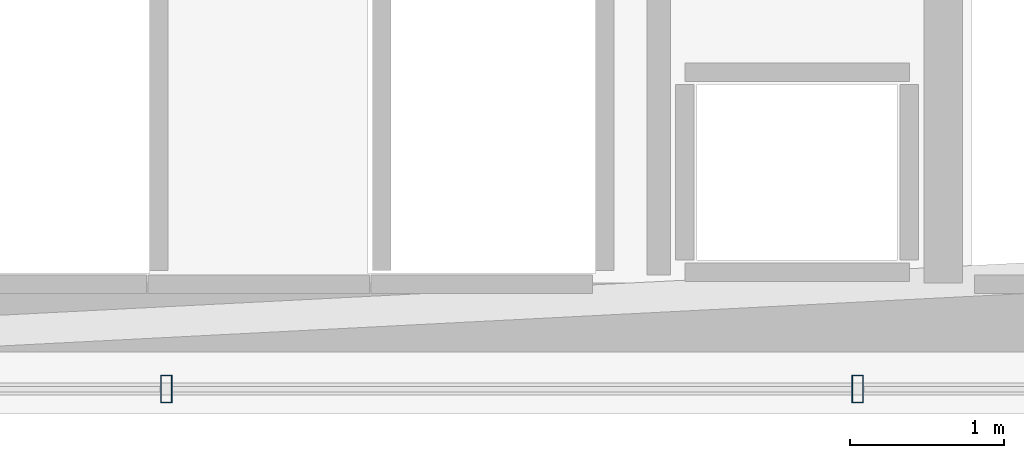
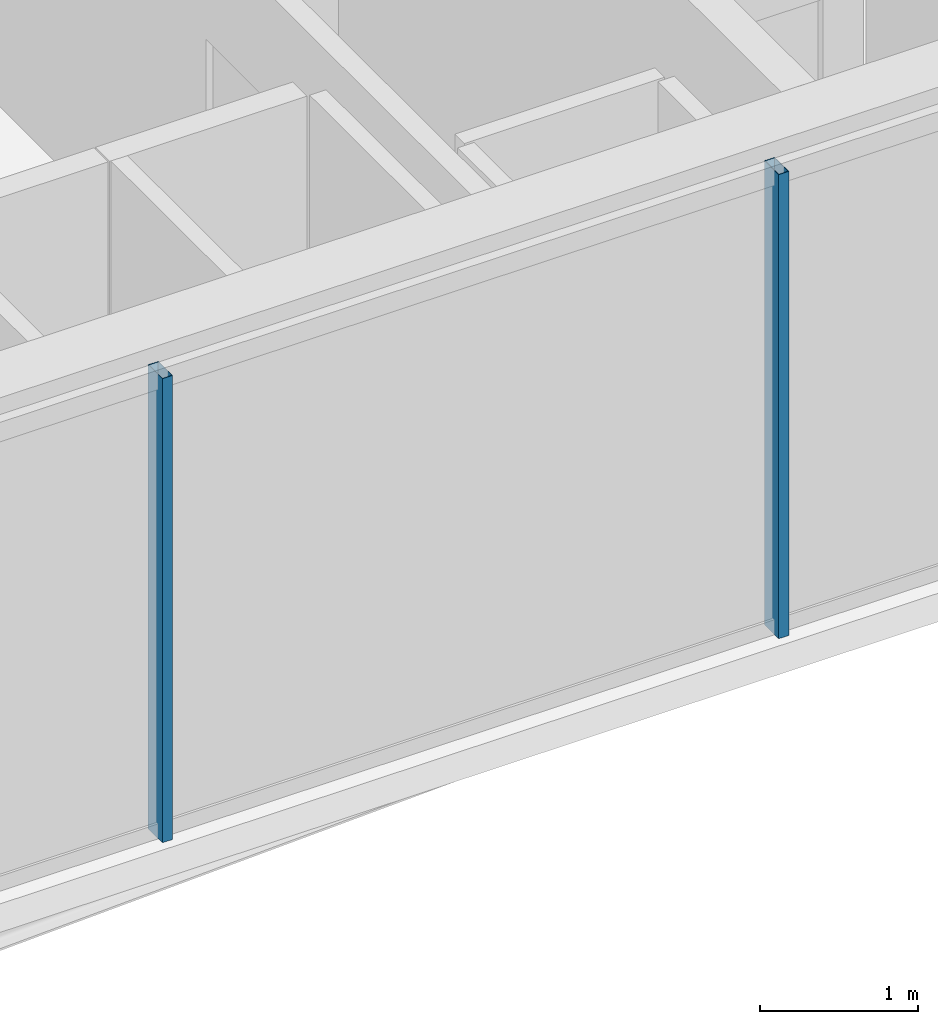
# One storey, part 9 of 32: 2 members, 1 element without a shape of its own.
"""IFC4 building model written with IfcOpenShell, lengths in metres."""

import ifcopenshell
import ifcopenshell.guid

model = None  # the IFC model being written
_history = None  # IfcOwnerHistory: only IFC2X3 demands one
_inside = {}  # id of a spatial element -> (the spatial element, [elements in it])
_under = {}  # id of a project, library or spatial element -> (it, [spatial elements below it])
_declared = {}  # id of a project -> (the project, [libraries it declares])
_typed = {}  # id of a type object -> (the type object, [elements of that type])
_made_of = {}  # id of a material, layer set ... -> (it, [elements and type objects made of it])


def new_model(schema):
    """Start an empty IFC model of exactly this schema.

    Asked for "IFC4X3", IfcOpenShell would pick the latest addendum, in which some entities
    have other attributes; the version numbers below select the first issue.
    IFC2X3 requires an IfcOwnerHistory on every rooted entity: one is made here for all.
    """
    global model, _history
    if schema == "IFC4X3":
        model = ifcopenshell.file(schema_version=(4, 3, 0, 0))
    else:
        model = ifcopenshell.file(schema=schema)
    _inside.clear()
    _under.clear()
    _declared.clear()
    _typed.clear()
    _made_of.clear()
    _history = None
    if model.schema == "IFC2X3":
        org = make("IfcOrganization", Name="unknown")
        user = make(
            "IfcPersonAndOrganization",
            ThePerson=make("IfcPerson", FamilyName="unknown"),
            TheOrganization=org,
        )
        app = make(
            "IfcApplication",
            ApplicationDeveloper=org,
            Version="unknown",
            ApplicationFullName="unknown",
            ApplicationIdentifier="unknown",
        )
        _history = make(
            "IfcOwnerHistory",
            OwningUser=user,
            OwningApplication=app,
            ChangeAction="ADDED",
            CreationDate=0,
        )
    return model


def make(cls, **values):
    """One entity of the class cls with the attributes given. An attribute that is None is left unset."""
    return model.create_entity(
        cls, **{name: value for name, value in values.items() if value is not None}
    )


def rooted(cls, **values):
    """An entity with a GlobalId (a new one), such as an element, a storey or a relation."""
    return make(cls, GlobalId=ifcopenshell.guid.new(), OwnerHistory=_history, **values)


def si_unit(unit_type, name, prefix=None):
    """IfcSIUnit, for example si_unit("LENGTHUNIT", "METRE", prefix="MILLI")."""
    return make("IfcSIUnit", UnitType=unit_type, Prefix=prefix, Name=name)


def assignment(units):
    """IfcUnitAssignment: the units of a project."""
    return None if units is None else make("IfcUnitAssignment", Units=units)


def point(xyz):
    """IfcCartesianPoint."""
    return None if xyz is None else make("IfcCartesianPoint", Coordinates=xyz)


def direction(xyz):
    """IfcDirection."""
    return None if xyz is None else make("IfcDirection", DirectionRatios=xyz)


def frame(location, z_axis=None, x_axis=None):
    """IfcAxis2Placement3D, a coordinate frame: its origin and axes. An axis left out is left unset."""
    return make(
        "IfcAxis2Placement3D",
        Location=point(location),
        Axis=direction(z_axis),
        RefDirection=direction(x_axis),
    )


def frame_2d(location, x_axis=None):
    """IfcAxis2Placement2D, a coordinate frame in the plane: its origin and x axis."""
    return make(
        "IfcAxis2Placement2D", Location=point(location), RefDirection=direction(x_axis)
    )


def origin():
    """The frame at (0, 0, 0) with its axes left unset."""
    return frame((0.0, 0.0, 0.0))


def origin_2d():
    """The frame at (0, 0) in the plane with its x axis left unset."""
    return frame_2d((0.0, 0.0))


def place(relative_to, where):
    """IfcLocalPlacement: puts the frame where relative to a parent placement (None: the world)."""
    return make(
        "IfcLocalPlacement", PlacementRelTo=relative_to, RelativePlacement=where
    )


def context(
    kind, dimensions, precision=None, world=None, true_north=None, identifier=None
):
    """IfcGeometricRepresentationContext, for example the 3D "Model" context."""
    return make(
        "IfcGeometricRepresentationContext",
        ContextIdentifier=identifier,
        ContextType=kind,
        CoordinateSpaceDimension=dimensions,
        Precision=precision,
        WorldCoordinateSystem=world,
        TrueNorth=true_north,
    )


def subcontext(parent, identifier, kind, view, scale=None):
    """IfcGeometricRepresentationSubContext, for example "Body" below "Model"."""
    return make(
        "IfcGeometricRepresentationSubContext",
        ContextIdentifier=identifier,
        ContextType=kind,
        ParentContext=parent,
        TargetScale=scale,
        TargetView=view,
    )


def project(units=None, contexts=None):
    """IfcProject with its units and contexts."""
    return rooted(
        "IfcProject",
        Name="project",
        RepresentationContexts=contexts,
        UnitsInContext=assignment(units),
    )


def spatial(cls, under=None, at=None, **own):
    """A site, building, storey or space (cls), placed at a placement, below another one or the project."""
    s = rooted(cls, ObjectPlacement=at, **own)
    if under is not None:
        _under.setdefault(under.id(), (under, []))[1].append(s)
    return s


def profile(cls, at=None, kind="AREA", **sizes):
    """A parametric profile (cls). Its sizes go by their IFC names, for example OverallWidth=200.0."""
    return make(cls, ProfileType=kind, Position=at, **sizes)


def hollow_rectangle(**sizes):
    """IfcRectangleHollowProfileDef."""
    return profile("IfcRectangleHollowProfileDef", **sizes)


def extrude(swept, where, along, depth):
    """IfcExtrudedAreaSolid: the profile swept, set in the frame where, extruded along a direction by depth."""
    return make(
        "IfcExtrudedAreaSolid",
        SweptArea=swept,
        Position=where,
        ExtrudedDirection=direction(along),
        Depth=depth,
    )


def shape(context_of_items, identifier, shape_type, items):
    """IfcShapeRepresentation: the items that make up one representation, for example the "Body"."""
    return make(
        "IfcShapeRepresentation",
        ContextOfItems=context_of_items,
        RepresentationIdentifier=identifier,
        RepresentationType=shape_type,
        Items=items,
    )


def material(Name=None, Category=None):
    """IfcMaterial."""
    return make("IfcMaterial", Name=Name, Category=Category)


def layer(
    of_material, thickness, ventilated=None, Name=None, Category=None, Priority=None
):
    """IfcMaterialLayer: one layer of a wall or slab, of a material (None: an air gap)."""
    return make(
        "IfcMaterialLayer",
        Material=of_material,
        LayerThickness=thickness,
        IsVentilated=ventilated,
        Name=Name,
        Category=Category,
        Priority=Priority,
    )


def layer_set(layers, Name=None):
    """IfcMaterialLayerSet."""
    return make("IfcMaterialLayerSet", MaterialLayers=layers, LayerSetName=Name)


def material_profile(
    of_material, cross_section, Name=None, Category=None, Priority=None
):
    """IfcMaterialProfile: a cross section and its material."""
    return make(
        "IfcMaterialProfile",
        Name=Name,
        Material=of_material,
        Profile=cross_section,
        Priority=Priority,
        Category=Category,
    )


def profile_set(profiles, Name=None, composite=None):
    """IfcMaterialProfileSet."""
    return make(
        "IfcMaterialProfileSet",
        Name=Name,
        MaterialProfiles=profiles,
        CompositeProfile=composite,
    )


def made_of(thing, what):
    """Note that an element or type object is made of a material, layer set ...; save() writes the relation."""
    if what is not None:
        _made_of.setdefault(what.id(), (what, []))[1].append(thing)
    return thing


def type_object(cls, material=None, **own):
    """A type object (cls), such as IfcWallType, which elements share."""
    return made_of(rooted(cls, **own), material)


def element(
    cls,
    number,
    at=None,
    inside=None,
    cuts=None,
    type_object=None,
    material=None,
    context=None,
    identifier="Body",
    shape_type=None,
    held_by="IfcProductDefinitionShape",
    body=None,
    shapes=None,
    **own,
):
    """One element of the class cls, such as IfcWall. Its Tag is "e" and its number.

    at: its placement. inside: the storey or other place that contains it. cuts: it is an
    opening in that element (IfcRelVoidsElement). A single representation is given by context,
    identifier, shape_type and body (its items); several are given by shapes. held_by: the class
    of the entity that holds the representations. save() writes the other relations.
    """
    e = rooted(cls, Tag="e%d" % number, ObjectPlacement=at, **own)
    if body is not None:
        shapes = [shape(context, identifier, shape_type, body)]
    if shapes is not None:
        e.Representation = make(held_by, Representations=shapes)
    if inside is not None:
        _inside.setdefault(inside.id(), (inside, []))[1].append(e)
    if cuts is not None:
        rooted(
            "IfcRelVoidsElement", RelatingBuildingElement=cuts, RelatedOpeningElement=e
        )
    if type_object is not None:
        _typed.setdefault(type_object.id(), (type_object, []))[1].append(e)
    return made_of(e, material)


def aggregate(whole, parts):
    """IfcRelAggregates: a whole, such as a stair, and the parts it consists of."""
    return rooted("IfcRelAggregates", RelatingObject=whole, RelatedObjects=parts)


def save(model, path):
    """Write the relations noted so far, then the file.

    IfcRelAggregates (storeys below a building ...), IfcRelContainedInSpatialStructure (elements
    in a storey), IfcRelDefinesByType, IfcRelAssociatesMaterial and IfcRelDeclares: one each for
    every whole, place, type object, material and project.
    """
    for whole, parts in _under.values():
        aggregate(whole, parts)
    for where, things in _inside.values():
        rooted(
            "IfcRelContainedInSpatialStructure",
            RelatedElements=things,
            RelatingStructure=where,
        )
    for kind, things in _typed.values():
        rooted("IfcRelDefinesByType", RelatedObjects=things, RelatingType=kind)
    for what, things in _made_of.values():
        rooted("IfcRelAssociatesMaterial", RelatedObjects=things, RelatingMaterial=what)
    for by, libraries in _declared.values():
        rooted("IfcRelDeclares", RelatingContext=by, RelatedDefinitions=libraries)
    model.write(path)


model = new_model("IFC4")

# Units and contexts
model_context = context("Model", 3, precision=1e-05, world=origin(), true_north=direction((0.0, 1.0)))
body_context = subcontext(model_context, "Body", "Model", "MODEL_VIEW")
ifc_project = project(units=[si_unit("LENGTHUNIT", "METRE"), si_unit("AREAUNIT", "SQUARE_METRE"), si_unit("VOLUMEUNIT", "CUBIC_METRE"), si_unit("PLANEANGLEUNIT", "RADIAN"), si_unit("MASSUNIT", "GRAM", prefix="KILO")], contexts=[model_context])

# Site, building, storey
site_placement = place(None, origin())
site = spatial("IfcSite", under=ifc_project, at=site_placement, CompositionType="ELEMENT")
building_placement = place(site_placement, origin())
building = spatial("IfcBuilding", under=site, at=building_placement, Name="Ndaravel Arena Tower", CompositionType="ELEMENT")
storey_placement = place(building_placement, frame((0.0, 0.0, 58.800048828125)))
storey = spatial("IfcBuildingStorey", under=building, at=storey_placement, Name="L12", CompositionType="ELEMENT", Elevation=58.800048828125)

# Curtain wall, members
ifc_material_1 = material(Name="Aluminium", Category="aluminium")
ifc_layer = layer(ifc_material_1, 0.179931640625)
ifc_layer_set = layer_set([ifc_layer], Name="Aluminium")
curtain_wall_type = type_object("IfcCurtainWallType", Name="CW-SYS-03", PredefinedType="NOTDEFINED", material=ifc_layer_set)
curtain_wall_placement = place(storey_placement, origin())
curtain_wall = element("IfcCurtainWall", 1, at=curtain_wall_placement, inside=storey, type_object=curtain_wall_type, Name="L12 Faceted Crystal Curtain Wall CW-L12-E01", PredefinedType="NOTDEFINED")
ifc_material_2 = material(Name="Aluminium", Category="aluminium")
ifc_material_profile = material_profile(ifc_material_2, hollow_rectangle(XDim=0.074951171875, YDim=0.179931640625, WallThickness=0.00390625, at=origin_2d()), Name="CW MULLION 75x180x4")
ifc_profile_set = profile_set([ifc_material_profile], Name="Aluminium")
member_type = type_object("IfcMemberType", Name="MEM-CW-MUL180", PredefinedType="MULLION", material=ifc_profile_set)
member_1_placement = place(storey_placement, frame((44.247802734375, 5.159912109375, 0.0), z_axis=(0.0, 0.0, 1.0), x_axis=(1.0, 0.0, 0.0)))
member_1 = element("IfcMember", 2, at=member_1_placement, type_object=member_type, Name="CW-L12-E01 Mullion 04", PredefinedType="MULLION", context=body_context, shape_type="SweptSolid", body=[
    extrude(hollow_rectangle(XDim=0.074951171875, YDim=0.179931640625, WallThickness=0.00390625, at=origin_2d()), origin(), (0.0, 0.0, 1.0), 3.579833984375),
])
member_2_placement = place(storey_placement, frame((48.74365234375, 5.159912109375, 0.0), z_axis=(0.0, 0.0, 1.0), x_axis=(1.0, 0.0, 0.0)))
member_2 = element("IfcMember", 3, at=member_2_placement, type_object=member_type, Name="CW-L12-E01 Mullion 05", PredefinedType="MULLION", context=body_context, shape_type="SweptSolid", body=[
    extrude(hollow_rectangle(XDim=0.074951171875, YDim=0.179931640625, WallThickness=0.00390625, at=origin_2d()), origin(), (0.0, 0.0, 1.0), 3.579833984375),
])
aggregate(curtain_wall, [member_1, member_2])

save(model, "model.ifc")
